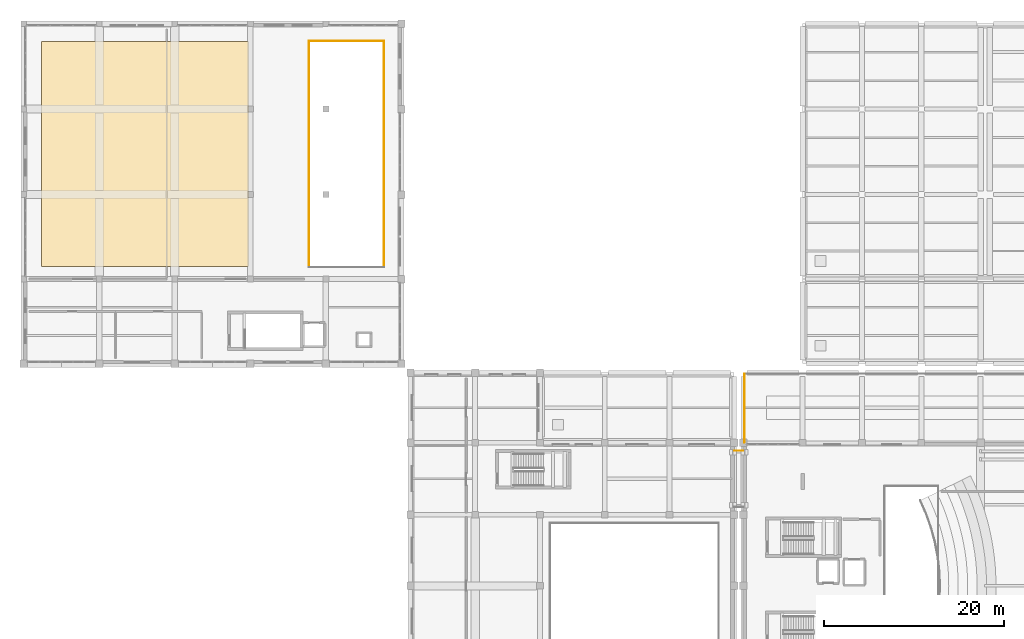
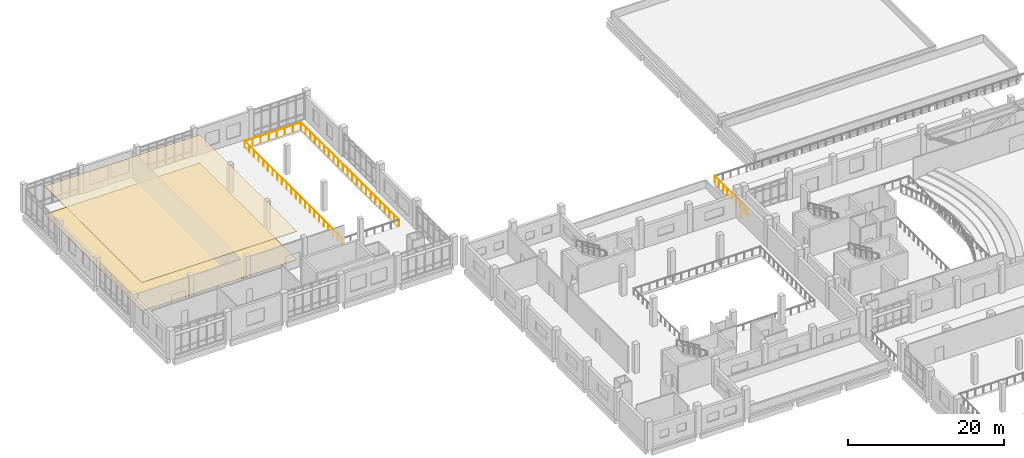
# One storey, part 53 of 54: 5 railings, 2 coverings.
"""IFC4 building model written with IfcOpenShell, lengths in metres."""

from ifc_helpers import new_model, si_unit, direction, frame, origin, origin_2d, place, context, subcontext, project, spatial, polyline, circle, outline, extrude, material, layer, layer_set, type_object, element, save


model = new_model("IFC4")

# Units and contexts
model_context = context("Model", 3, precision=1e-05, world=origin(), true_north=direction((0.0, 1.0)))
body_context = subcontext(model_context, "Body", "Model", "MODEL_VIEW")
ifc_project = project(units=[si_unit("LENGTHUNIT", "METRE"), si_unit("AREAUNIT", "SQUARE_METRE"), si_unit("VOLUMEUNIT", "CUBIC_METRE"), si_unit("PLANEANGLEUNIT", "RADIAN"), si_unit("MASSUNIT", "GRAM", prefix="KILO")], contexts=[model_context])

# Site, building, storey
site_placement = place(None, origin())
site = spatial("IfcSite", under=ifc_project, at=site_placement, CompositionType="ELEMENT")
building_placement = place(site_placement, origin())
building = spatial("IfcBuilding", under=site, at=building_placement, Name="Kelarvand Opera House", CompositionType="ELEMENT")
storey_placement = place(building_placement, frame((0.0, 0.0, 15.0)))
storey = spatial("IfcBuildingStorey", under=building, at=storey_placement, Name="L03", CompositionType="ELEMENT", Elevation=15.0)

# Railings
ifc_material_1 = material(Name="Laminated safety glass with bronze cap rail", Category="glass")
railing_type_1 = type_object("IfcRailingType", Name="Laminated Glass and Bronze Foyer Balustrade 1120", PredefinedType="BALUSTRADE", material=ifc_material_1)
railing_1_placement = place(storey_placement, frame((89.1201171875, 78.449951171875, 0.0)))
element("IfcRailing", 1, at=railing_1_placement, inside=storey, type_object=railing_type_1, Name="V1 L03 Balustrade 7", PredefinedType="BALUSTRADE", context=body_context, shape_type="SweptSolid", body=[
    extrude(circle(Radius=0.02392578125, at=origin_2d()), frame((0.0, 0.0, 1.09619140625), z_axis=(0.0, 1.0, 0.0), x_axis=(-1.0, 0.0, 0.0)), (0.0, 0.0, 1.0), 7.630126953125),
    extrude(circle(Radius=0.02099609375, at=origin_2d()), origin(), (0.0, 0.0, 1.0), 1.072021484375),
    extrude(circle(Radius=0.02099609375, at=origin_2d()), frame((0.0, 1.090087890625, 0.0)), (0.0, 0.0, 1.0), 1.072021484375),
    extrude(circle(Radius=0.02099609375, at=origin_2d()), frame((0.0, 2.179931640625, 0.0)), (0.0, 0.0, 1.0), 1.072021484375),
    extrude(circle(Radius=0.02099609375, at=origin_2d()), frame((0.0, 3.27001953125, 0.0)), (0.0, 0.0, 1.0), 1.072021484375),
    extrude(circle(Radius=0.02099609375, at=origin_2d()), frame((0.0, 4.360107421875, 0.0)), (0.0, 0.0, 1.0), 1.072021484375),
    extrude(circle(Radius=0.02099609375, at=origin_2d()), frame((0.0, 5.4501953125, 0.0)), (0.0, 0.0, 1.0), 1.072021484375),
    extrude(circle(Radius=0.02099609375, at=origin_2d()), frame((0.0, 6.5400390625, 0.0)), (0.0, 0.0, 1.0), 1.072021484375),
    extrude(circle(Radius=0.02099609375, at=origin_2d()), frame((0.0, 7.630126953125, 0.0)), (0.0, 0.0, 1.0), 1.072021484375),
])
railing_2_placement = place(storey_placement, frame((88.0, 77.52001953125, 0.0)))
element("IfcRailing", 2, at=railing_2_placement, inside=storey, type_object=railing_type_1, Name="V1 L03 Balustrade 142", PredefinedType="BALUSTRADE", context=body_context, shape_type="SweptSolid", body=[
    extrude(circle(Radius=0.02392578125, at=origin_2d()), frame((0.0, 0.0, 1.09619140625), z_axis=(1.0, 0.0, 0.0), x_axis=(0.0, 1.0, 0.0)), (0.0, 0.0, 1.0), 1.0),
    extrude(circle(Radius=0.02099609375, at=origin_2d()), origin(), (0.0, 0.0, 1.0), 1.072021484375),
    extrude(circle(Radius=0.02099609375, at=origin_2d()), frame((1.0, 0.0, 0.0)), (0.0, 0.0, 1.0), 1.072021484375),
])
ifc_material_2 = material(Name="Powder-coated Steel S355", Category="steel")
railing_type_2 = type_object("IfcRailingType", Name="Painted Steel Stair and Void Guardrail 1100", PredefinedType="GUARDRAIL", material=ifc_material_2)
railing_3_placement = place(storey_placement, frame((40.719970703125, 123.080078125, 0.0)))
element("IfcRailing", 3, at=railing_3_placement, inside=storey, type_object=railing_type_2, Name="V3 L03 Guardrail 89", PredefinedType="GUARDRAIL", context=body_context, shape_type="SweptSolid", body=[
    extrude(circle(Radius=0.02392578125, at=origin_2d()), frame((0.0, 0.0, 1.076171875), z_axis=(1.0, 0.0, 0.0), x_axis=(0.0, 1.0, 0.0)), (0.0, 0.0, 1.0), 8.360107421875),
    extrude(circle(Radius=0.02099609375, at=origin_2d()), origin(), (0.0, 0.0, 1.0), 1.052001953125),
    extrude(circle(Radius=0.02099609375, at=origin_2d()), frame((1.1943359375, 0.0, 0.0)), (0.0, 0.0, 1.0), 1.052001953125),
    extrude(circle(Radius=0.02099609375, at=origin_2d()), frame((2.388671875, 0.0, 0.0)), (0.0, 0.0, 1.0), 1.052001953125),
    extrude(circle(Radius=0.02099609375, at=origin_2d()), frame((3.5830078125, 0.0, 0.0)), (0.0, 0.0, 1.0), 1.052001953125),
    extrude(circle(Radius=0.02099609375, at=origin_2d()), frame((4.777099609375, 0.0, 0.0)), (0.0, 0.0, 1.0), 1.052001953125),
    extrude(circle(Radius=0.02099609375, at=origin_2d()), frame((5.971435546875, 0.0, 0.0)), (0.0, 0.0, 1.0), 1.052001953125),
    extrude(circle(Radius=0.02099609375, at=origin_2d()), frame((7.165771484375, 0.0, 0.0)), (0.0, 0.0, 1.0), 1.052001953125),
    extrude(circle(Radius=0.02099609375, at=origin_2d()), frame((8.360107421875, 0.0, 0.0)), (0.0, 0.0, 1.0), 1.052001953125),
])
railing_4_placement = place(storey_placement, frame((49.080078125, 123.080078125, 0.0)))
element("IfcRailing", 4, at=railing_4_placement, inside=storey, type_object=railing_type_2, Name="V3 L03 Guardrail 90", PredefinedType="GUARDRAIL", context=body_context, shape_type="SweptSolid", body=[
    extrude(circle(Radius=0.02392578125, at=origin_2d()), frame((0.0, 0.0, 1.076171875), z_axis=(0.0, -1.0, 0.0), x_axis=(1.0, 0.0, 0.0)), (0.0, 0.0, 1.0), 25.16015625),
    extrude(circle(Radius=0.02099609375, at=origin_2d()), origin(), (0.0, 0.0, 1.0), 1.052001953125),
    extrude(circle(Radius=0.02099609375, at=origin_2d()), frame((0.0, -1.197998046875, 0.0)), (0.0, 0.0, 1.0), 1.052001953125),
    extrude(circle(Radius=0.02099609375, at=origin_2d()), frame((0.0, -2.396240234375, 0.0)), (0.0, 0.0, 1.0), 1.052001953125),
    extrude(circle(Radius=0.02099609375, at=origin_2d()), frame((0.0, -3.59423828125, 0.0)), (0.0, 0.0, 1.0), 1.052001953125),
    extrude(circle(Radius=0.02099609375, at=origin_2d()), frame((0.0, -4.79248046875, 0.0)), (0.0, 0.0, 1.0), 1.052001953125),
    extrude(circle(Radius=0.02099609375, at=origin_2d()), frame((0.0, -5.990478515625, 0.0)), (0.0, 0.0, 1.0), 1.052001953125),
    extrude(circle(Radius=0.02099609375, at=origin_2d()), frame((0.0, -7.188720703125, 0.0)), (0.0, 0.0, 1.0), 1.052001953125),
    extrude(circle(Radius=0.02099609375, at=origin_2d()), frame((0.0, -8.38671875, 0.0)), (0.0, 0.0, 1.0), 1.052001953125),
    extrude(circle(Radius=0.02099609375, at=origin_2d()), frame((0.0, -9.584716796875, 0.0)), (0.0, 0.0, 1.0), 1.052001953125),
    extrude(circle(Radius=0.02099609375, at=origin_2d()), frame((0.0, -10.782958984375, 0.0)), (0.0, 0.0, 1.0), 1.052001953125),
    extrude(circle(Radius=0.02099609375, at=origin_2d()), frame((0.0, -11.98095703125, 0.0)), (0.0, 0.0, 1.0), 1.052001953125),
    extrude(circle(Radius=0.02099609375, at=origin_2d()), frame((0.0, -13.17919921875, 0.0)), (0.0, 0.0, 1.0), 1.052001953125),
    extrude(circle(Radius=0.02099609375, at=origin_2d()), frame((0.0, -14.377197265625, 0.0)), (0.0, 0.0, 1.0), 1.052001953125),
    extrude(circle(Radius=0.02099609375, at=origin_2d()), frame((0.0, -15.575439453125, 0.0)), (0.0, 0.0, 1.0), 1.052001953125),
    extrude(circle(Radius=0.02099609375, at=origin_2d()), frame((0.0, -16.7734375, 0.0)), (0.0, 0.0, 1.0), 1.052001953125),
    extrude(circle(Radius=0.02099609375, at=origin_2d()), frame((0.0, -17.971435546875, 0.0)), (0.0, 0.0, 1.0), 1.052001953125),
    extrude(circle(Radius=0.02099609375, at=origin_2d()), frame((0.0, -19.169677734375, 0.0)), (0.0, 0.0, 1.0), 1.052001953125),
    extrude(circle(Radius=0.02099609375, at=origin_2d()), frame((0.0, -20.36767578125, 0.0)), (0.0, 0.0, 1.0), 1.052001953125),
    extrude(circle(Radius=0.02099609375, at=origin_2d()), frame((0.0, -21.56591796875, 0.0)), (0.0, 0.0, 1.0), 1.052001953125),
    extrude(circle(Radius=0.02099609375, at=origin_2d()), frame((0.0, -22.763916015625, 0.0)), (0.0, 0.0, 1.0), 1.052001953125),
    extrude(circle(Radius=0.02099609375, at=origin_2d()), frame((0.0, -23.962158203125, 0.0)), (0.0, 0.0, 1.0), 1.052001953125),
    extrude(circle(Radius=0.02099609375, at=origin_2d()), frame((0.0, -25.16015625, 0.0)), (0.0, 0.0, 1.0), 1.052001953125),
])
railing_5_placement = place(storey_placement, frame((40.719970703125, 97.919921875, 0.0)))
element("IfcRailing", 5, at=railing_5_placement, inside=storey, type_object=railing_type_2, Name="V3 L03 Guardrail 92", PredefinedType="GUARDRAIL", context=body_context, shape_type="SweptSolid", body=[
    extrude(circle(Radius=0.02392578125, at=origin_2d()), frame((0.0, 0.0, 1.076171875), z_axis=(0.0, 1.0, 0.0), x_axis=(-1.0, 0.0, 0.0)), (0.0, 0.0, 1.0), 25.16015625),
    extrude(circle(Radius=0.02099609375, at=origin_2d()), origin(), (0.0, 0.0, 1.0), 1.052001953125),
    extrude(circle(Radius=0.02099609375, at=origin_2d()), frame((0.0, 1.197998046875, 0.0)), (0.0, 0.0, 1.0), 1.052001953125),
    extrude(circle(Radius=0.02099609375, at=origin_2d()), frame((0.0, 2.396240234375, 0.0)), (0.0, 0.0, 1.0), 1.052001953125),
    extrude(circle(Radius=0.02099609375, at=origin_2d()), frame((0.0, 3.59423828125, 0.0)), (0.0, 0.0, 1.0), 1.052001953125),
    extrude(circle(Radius=0.02099609375, at=origin_2d()), frame((0.0, 4.79248046875, 0.0)), (0.0, 0.0, 1.0), 1.052001953125),
    extrude(circle(Radius=0.02099609375, at=origin_2d()), frame((0.0, 5.990478515625, 0.0)), (0.0, 0.0, 1.0), 1.052001953125),
    extrude(circle(Radius=0.02099609375, at=origin_2d()), frame((0.0, 7.188720703125, 0.0)), (0.0, 0.0, 1.0), 1.052001953125),
    extrude(circle(Radius=0.02099609375, at=origin_2d()), frame((0.0, 8.38671875, 0.0)), (0.0, 0.0, 1.0), 1.052001953125),
    extrude(circle(Radius=0.02099609375, at=origin_2d()), frame((0.0, 9.584716796875, 0.0)), (0.0, 0.0, 1.0), 1.052001953125),
    extrude(circle(Radius=0.02099609375, at=origin_2d()), frame((0.0, 10.782958984375, 0.0)), (0.0, 0.0, 1.0), 1.052001953125),
    extrude(circle(Radius=0.02099609375, at=origin_2d()), frame((0.0, 11.98095703125, 0.0)), (0.0, 0.0, 1.0), 1.052001953125),
    extrude(circle(Radius=0.02099609375, at=origin_2d()), frame((0.0, 13.17919921875, 0.0)), (0.0, 0.0, 1.0), 1.052001953125),
    extrude(circle(Radius=0.02099609375, at=origin_2d()), frame((0.0, 14.377197265625, 0.0)), (0.0, 0.0, 1.0), 1.052001953125),
    extrude(circle(Radius=0.02099609375, at=origin_2d()), frame((0.0, 15.575439453125, 0.0)), (0.0, 0.0, 1.0), 1.052001953125),
    extrude(circle(Radius=0.02099609375, at=origin_2d()), frame((0.0, 16.7734375, 0.0)), (0.0, 0.0, 1.0), 1.052001953125),
    extrude(circle(Radius=0.02099609375, at=origin_2d()), frame((0.0, 17.971435546875, 0.0)), (0.0, 0.0, 1.0), 1.052001953125),
    extrude(circle(Radius=0.02099609375, at=origin_2d()), frame((0.0, 19.169677734375, 0.0)), (0.0, 0.0, 1.0), 1.052001953125),
    extrude(circle(Radius=0.02099609375, at=origin_2d()), frame((0.0, 20.36767578125, 0.0)), (0.0, 0.0, 1.0), 1.052001953125),
    extrude(circle(Radius=0.02099609375, at=origin_2d()), frame((0.0, 21.56591796875, 0.0)), (0.0, 0.0, 1.0), 1.052001953125),
    extrude(circle(Radius=0.02099609375, at=origin_2d()), frame((0.0, 22.763916015625, 0.0)), (0.0, 0.0, 1.0), 1.052001953125),
    extrude(circle(Radius=0.02099609375, at=origin_2d()), frame((0.0, 23.962158203125, 0.0)), (0.0, 0.0, 1.0), 1.052001953125),
    extrude(circle(Radius=0.02099609375, at=origin_2d()), frame((0.0, 25.16015625, 0.0)), (0.0, 0.0, 1.0), 1.052001953125),
])

# Coverings
ifc_material_3 = material(Name="Perforated walnut acoustic slats on steel sub-frame", Category="steel")
ifc_layer_1 = layer(ifc_material_3, 0.06005859375, Name="Perforated walnut acoustic slats on steel sub-frame", Category="steel")
ifc_layer_set_1 = layer_set([ifc_layer_1], Name="Perforated walnut acoustic slats on steel sub-frame")
covering_type_1 = type_object("IfcCoveringType", Name="Sculpted Timber Acoustic Soffit and Hall Ceiling 60mm", PredefinedType="CEILING", material=ifc_layer_set_1)
covering_1_placement = place(storey_placement, frame((0.0, 0.0, 4.43994140625)))
element("IfcCovering", 6, at=covering_1_placement, inside=storey, type_object=covering_type_1, Name="V3 L03 Acoustic Walnut Ceiling 6", PredefinedType="CEILING", context=body_context, shape_type="SweptSolid", body=[
    extrude(outline(polyline([(11.0, 98.0), (34.0, 98.0), (34.0, 123.0), (11.0, 123.0), (11.0, 98.0)])), origin(), (0.0, 0.0, 1.0), 0.06005859375),
])
ifc_material_4 = material(Name="Sprung rift-sawn timber stage flooring", Category="wood")
ifc_layer_2 = layer(ifc_material_4, 0.050048828125, Name="Sprung rift-sawn timber stage flooring", Category="wood")
ifc_layer_set_2 = layer_set([ifc_layer_2], Name="Sprung rift-sawn timber stage flooring")
covering_type_2 = type_object("IfcCoveringType", Name="Sprung Oregon Pine Stage and Rehearsal Flooring 50mm", PredefinedType="FLOORING", material=ifc_layer_set_2)
covering_2_placement = place(storey_placement, origin())
element("IfcCovering", 7, at=covering_2_placement, inside=storey, type_object=covering_type_2, Name="V3 L03 Architectural Flooring 7", PredefinedType="FLOORING", context=body_context, shape_type="SweptSolid", body=[
    extrude(outline(polyline([(11.0, 98.0), (34.0, 98.0), (34.0, 123.0), (11.0, 123.0), (11.0, 98.0)])), origin(), (0.0, 0.0, 1.0), 0.050048828125),
])

save(model, "model.ifc")
